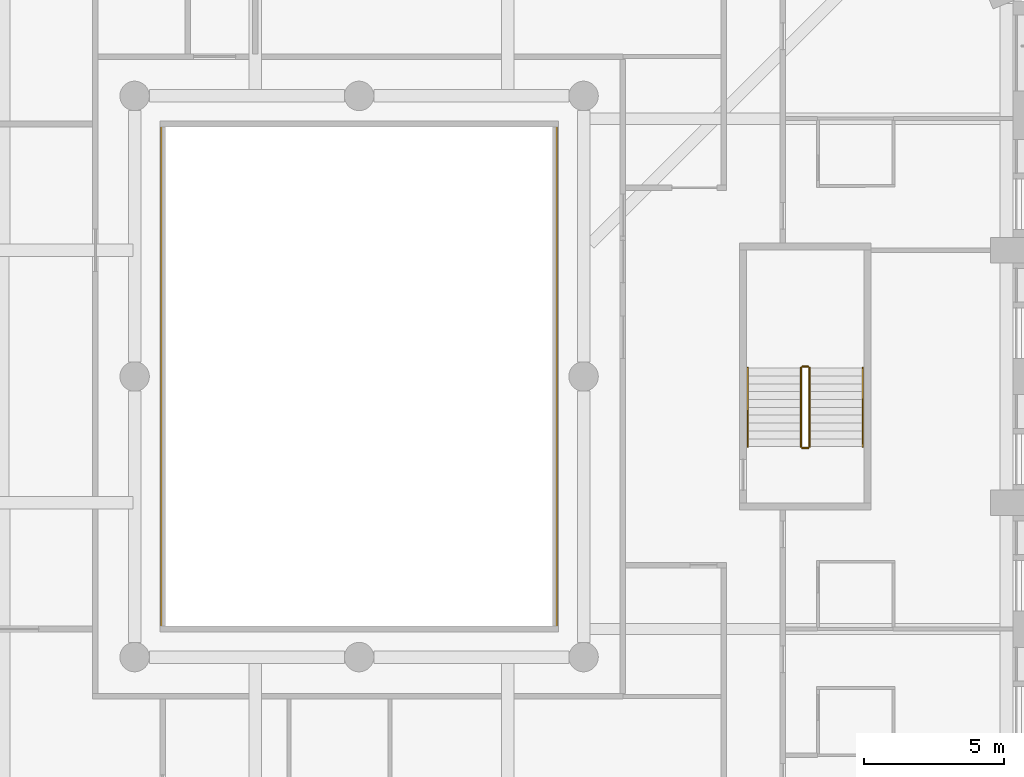
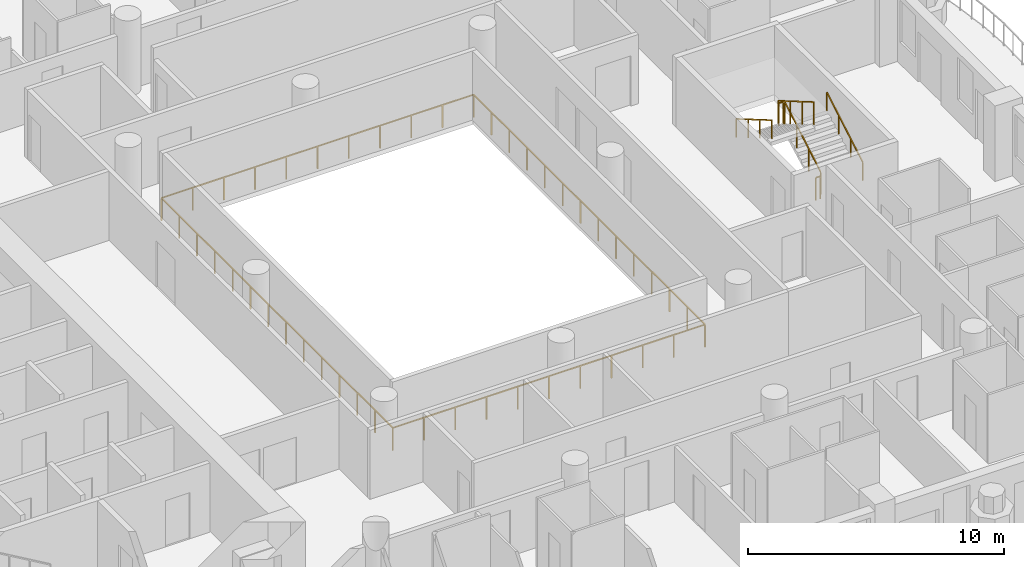
# One storey, part 15 of 20: 7 railings.
"""IFC4 building model written with IfcOpenShell, lengths in metres."""

from ifc_helpers import new_model, si_unit, direction, frame, origin, origin_2d, place, context, subcontext, project, spatial, rectangle, extrude, material, type_object, element, save


model = new_model("IFC4")

# Units and contexts
model_context = context("Model", 3, precision=1e-05, world=origin(), true_north=direction((0.0, 1.0)))
body_context = subcontext(model_context, "Body", "Model", "MODEL_VIEW")
ifc_project = project(units=[si_unit("LENGTHUNIT", "METRE"), si_unit("AREAUNIT", "SQUARE_METRE"), si_unit("VOLUMEUNIT", "CUBIC_METRE"), si_unit("PLANEANGLEUNIT", "RADIAN"), si_unit("MASSUNIT", "GRAM", prefix="KILO")], contexts=[model_context])

# Site, building, storey
site_placement = place(None, origin())
site = spatial("IfcSite", under=ifc_project, at=site_placement, CompositionType="ELEMENT")
building_placement = place(site_placement, origin())
building = spatial("IfcBuilding", under=site, at=building_placement, Name="Cypress Arch Tower", CompositionType="ELEMENT")
storey_placement = place(building_placement, frame((0.0, 0.0, 116.699951171875)))
storey = spatial("IfcBuildingStorey", under=building, at=storey_placement, Name="L24", CompositionType="ELEMENT", Elevation=116.699951171875)

# Railings
ifc_material_1 = material(Name="Stainless steel posts and handrail, laminated glass infill", Category="steel")
railing_type_1 = type_object("IfcRailingType", Name="Atrium guard GR1100A", PredefinedType="GUARDRAIL", material=ifc_material_1)
railing_1_placement = place(storey_placement, frame((8.050048828125, -9.050048828125, 0.0)))
element("IfcRailing", 1, at=railing_1_placement, inside=storey, type_object=railing_type_1, Name="Atrium guard L24", PredefinedType="GUARDRAIL", context=body_context, shape_type="SweptSolid", body=[
    extrude(rectangle(XDim=0.050048828125, YDim=0.050048828125, at=origin_2d()), frame((0.0, 0.0, 1.0751953125), z_axis=(-1.0, 0.0, 0.0), x_axis=(0.0, -1.0, 0.0)), (0.0, 0.0, 1.0), 14.10009765625),
    extrude(rectangle(XDim=0.050048828125, YDim=0.050048828125, at=origin_2d()), frame((-14.10009765625, 0.0, 1.0751953125), z_axis=(0.0, 1.0, 0.0), x_axis=(-1.0, 0.0, 0.0)), (0.0, 0.0, 1.0), 18.10009765625),
    extrude(rectangle(XDim=0.050048828125, YDim=0.050048828125, at=origin_2d()), frame((-14.10009765625, 18.10009765625, 1.0751953125), z_axis=(1.0, 0.0, 0.0), x_axis=(0.0, 1.0, 0.0)), (0.0, 0.0, 1.0), 14.10009765625),
    extrude(rectangle(XDim=0.050048828125, YDim=0.050048828125, at=origin_2d()), frame((0.0, 18.10009765625, 1.0751953125), z_axis=(0.0, -1.0, 0.0), x_axis=(1.0, 0.0, 0.0)), (0.0, 0.0, 1.0), 18.10009765625),
    extrude(rectangle(XDim=0.050048828125, YDim=0.050048828125, at=origin_2d()), origin(), (0.0, 0.0, 1.0), 1.050048828125),
    extrude(rectangle(XDim=0.050048828125, YDim=0.050048828125, at=origin_2d()), frame((-1.409912109375, 0.0, 0.0)), (0.0, 0.0, 1.0), 1.050048828125),
    extrude(rectangle(XDim=0.050048828125, YDim=0.050048828125, at=origin_2d()), frame((-2.820068359375, 0.0, 0.0)), (0.0, 0.0, 1.0), 1.050048828125),
    extrude(rectangle(XDim=0.050048828125, YDim=0.050048828125, at=origin_2d()), frame((-4.22998046875, 0.0, 0.0)), (0.0, 0.0, 1.0), 1.050048828125),
    extrude(rectangle(XDim=0.050048828125, YDim=0.050048828125, at=origin_2d()), frame((-5.64013671875, 0.0, 0.0)), (0.0, 0.0, 1.0), 1.050048828125),
    extrude(rectangle(XDim=0.050048828125, YDim=0.050048828125, at=origin_2d()), frame((-7.050048828125, 0.0, 0.0)), (0.0, 0.0, 1.0), 1.050048828125),
    extrude(rectangle(XDim=0.050048828125, YDim=0.050048828125, at=origin_2d()), frame((-8.4599609375, 0.0, 0.0)), (0.0, 0.0, 1.0), 1.050048828125),
    extrude(rectangle(XDim=0.050048828125, YDim=0.050048828125, at=origin_2d()), frame((-9.8701171875, 0.0, 0.0)), (0.0, 0.0, 1.0), 1.050048828125),
    extrude(rectangle(XDim=0.050048828125, YDim=0.050048828125, at=origin_2d()), frame((-11.280029296875, 0.0, 0.0)), (0.0, 0.0, 1.0), 1.050048828125),
    extrude(rectangle(XDim=0.050048828125, YDim=0.050048828125, at=origin_2d()), frame((-12.690185546875, 0.0, 0.0)), (0.0, 0.0, 1.0), 1.050048828125),
    extrude(rectangle(XDim=0.050048828125, YDim=0.050048828125, at=origin_2d()), frame((-14.10009765625, 0.0, 0.0)), (0.0, 0.0, 1.0), 1.050048828125),
    extrude(rectangle(XDim=0.050048828125, YDim=0.050048828125, at=origin_2d()), frame((-14.10009765625, 1.392333984375, 0.0)), (0.0, 0.0, 1.0), 1.050048828125),
    extrude(rectangle(XDim=0.050048828125, YDim=0.050048828125, at=origin_2d()), frame((-14.10009765625, 2.78466796875, 0.0)), (0.0, 0.0, 1.0), 1.050048828125),
    extrude(rectangle(XDim=0.050048828125, YDim=0.050048828125, at=origin_2d()), frame((-14.10009765625, 4.177001953125, 0.0)), (0.0, 0.0, 1.0), 1.050048828125),
    extrude(rectangle(XDim=0.050048828125, YDim=0.050048828125, at=origin_2d()), frame((-14.10009765625, 5.5693359375, 0.0)), (0.0, 0.0, 1.0), 1.050048828125),
    extrude(rectangle(XDim=0.050048828125, YDim=0.050048828125, at=origin_2d()), frame((-14.10009765625, 6.961669921875, 0.0)), (0.0, 0.0, 1.0), 1.050048828125),
    extrude(rectangle(XDim=0.050048828125, YDim=0.050048828125, at=origin_2d()), frame((-14.10009765625, 8.35400390625, 0.0)), (0.0, 0.0, 1.0), 1.050048828125),
    extrude(rectangle(XDim=0.050048828125, YDim=0.050048828125, at=origin_2d()), frame((-14.10009765625, 9.74609375, 0.0)), (0.0, 0.0, 1.0), 1.050048828125),
    extrude(rectangle(XDim=0.050048828125, YDim=0.050048828125, at=origin_2d()), frame((-14.10009765625, 11.138427734375, 0.0)), (0.0, 0.0, 1.0), 1.050048828125),
    extrude(rectangle(XDim=0.050048828125, YDim=0.050048828125, at=origin_2d()), frame((-14.10009765625, 12.53076171875, 0.0)), (0.0, 0.0, 1.0), 1.050048828125),
    extrude(rectangle(XDim=0.050048828125, YDim=0.050048828125, at=origin_2d()), frame((-14.10009765625, 13.923095703125, 0.0)), (0.0, 0.0, 1.0), 1.050048828125),
    extrude(rectangle(XDim=0.050048828125, YDim=0.050048828125, at=origin_2d()), frame((-14.10009765625, 15.3154296875, 0.0)), (0.0, 0.0, 1.0), 1.050048828125),
    extrude(rectangle(XDim=0.050048828125, YDim=0.050048828125, at=origin_2d()), frame((-14.10009765625, 16.707763671875, 0.0)), (0.0, 0.0, 1.0), 1.050048828125),
    extrude(rectangle(XDim=0.050048828125, YDim=0.050048828125, at=origin_2d()), frame((-14.10009765625, 18.10009765625, 0.0)), (0.0, 0.0, 1.0), 1.050048828125),
    extrude(rectangle(XDim=0.050048828125, YDim=0.050048828125, at=origin_2d()), frame((-12.690185546875, 18.10009765625, 0.0)), (0.0, 0.0, 1.0), 1.050048828125),
    extrude(rectangle(XDim=0.050048828125, YDim=0.050048828125, at=origin_2d()), frame((-11.280029296875, 18.10009765625, 0.0)), (0.0, 0.0, 1.0), 1.050048828125),
    extrude(rectangle(XDim=0.050048828125, YDim=0.050048828125, at=origin_2d()), frame((-9.8701171875, 18.10009765625, 0.0)), (0.0, 0.0, 1.0), 1.050048828125),
    extrude(rectangle(XDim=0.050048828125, YDim=0.050048828125, at=origin_2d()), frame((-8.4599609375, 18.10009765625, 0.0)), (0.0, 0.0, 1.0), 1.050048828125),
    extrude(rectangle(XDim=0.050048828125, YDim=0.050048828125, at=origin_2d()), frame((-7.050048828125, 18.10009765625, 0.0)), (0.0, 0.0, 1.0), 1.050048828125),
    extrude(rectangle(XDim=0.050048828125, YDim=0.050048828125, at=origin_2d()), frame((-5.64013671875, 18.10009765625, 0.0)), (0.0, 0.0, 1.0), 1.050048828125),
    extrude(rectangle(XDim=0.050048828125, YDim=0.050048828125, at=origin_2d()), frame((-4.22998046875, 18.10009765625, 0.0)), (0.0, 0.0, 1.0), 1.050048828125),
    extrude(rectangle(XDim=0.050048828125, YDim=0.050048828125, at=origin_2d()), frame((-2.820068359375, 18.10009765625, 0.0)), (0.0, 0.0, 1.0), 1.050048828125),
    extrude(rectangle(XDim=0.050048828125, YDim=0.050048828125, at=origin_2d()), frame((-1.409912109375, 18.10009765625, 0.0)), (0.0, 0.0, 1.0), 1.050048828125),
    extrude(rectangle(XDim=0.050048828125, YDim=0.050048828125, at=origin_2d()), frame((0.0, 18.10009765625, 0.0)), (0.0, 0.0, 1.0), 1.050048828125),
    extrude(rectangle(XDim=0.050048828125, YDim=0.050048828125, at=origin_2d()), frame((0.0, 16.707763671875, 0.0)), (0.0, 0.0, 1.0), 1.050048828125),
    extrude(rectangle(XDim=0.050048828125, YDim=0.050048828125, at=origin_2d()), frame((0.0, 15.3154296875, 0.0)), (0.0, 0.0, 1.0), 1.050048828125),
    extrude(rectangle(XDim=0.050048828125, YDim=0.050048828125, at=origin_2d()), frame((0.0, 13.923095703125, 0.0)), (0.0, 0.0, 1.0), 1.050048828125),
    extrude(rectangle(XDim=0.050048828125, YDim=0.050048828125, at=origin_2d()), frame((0.0, 12.53076171875, 0.0)), (0.0, 0.0, 1.0), 1.050048828125),
    extrude(rectangle(XDim=0.050048828125, YDim=0.050048828125, at=origin_2d()), frame((0.0, 11.138427734375, 0.0)), (0.0, 0.0, 1.0), 1.050048828125),
    extrude(rectangle(XDim=0.050048828125, YDim=0.050048828125, at=origin_2d()), frame((0.0, 9.74609375, 0.0)), (0.0, 0.0, 1.0), 1.050048828125),
    extrude(rectangle(XDim=0.050048828125, YDim=0.050048828125, at=origin_2d()), frame((0.0, 8.35400390625, 0.0)), (0.0, 0.0, 1.0), 1.050048828125),
    extrude(rectangle(XDim=0.050048828125, YDim=0.050048828125, at=origin_2d()), frame((0.0, 6.961669921875, 0.0)), (0.0, 0.0, 1.0), 1.050048828125),
    extrude(rectangle(XDim=0.050048828125, YDim=0.050048828125, at=origin_2d()), frame((0.0, 5.5693359375, 0.0)), (0.0, 0.0, 1.0), 1.050048828125),
    extrude(rectangle(XDim=0.050048828125, YDim=0.050048828125, at=origin_2d()), frame((0.0, 4.177001953125, 0.0)), (0.0, 0.0, 1.0), 1.050048828125),
    extrude(rectangle(XDim=0.050048828125, YDim=0.050048828125, at=origin_2d()), frame((0.0, 2.78466796875, 0.0)), (0.0, 0.0, 1.0), 1.050048828125),
    extrude(rectangle(XDim=0.050048828125, YDim=0.050048828125, at=origin_2d()), frame((0.0, 1.392333984375, 0.0)), (0.0, 0.0, 1.0), 1.050048828125),
])
ifc_material_2 = material(Name="Black powder-coated steel square bar 48 mm", Category="steel")
railing_type_2 = type_object("IfcRailingType", Name="Stair handrail HR1", PredefinedType="HANDRAIL", material=ifc_material_2)
railing_2_placement = place(storey_placement, frame((18.949951171875, -2.5, 0.16357421875)))
element("IfcRailing", 2, at=railing_2_placement, inside=storey, type_object=railing_type_2, Name="L24 C stair handrail 1", PredefinedType="HANDRAIL", context=body_context, shape_type="SweptSolid", body=[
    extrude(rectangle(XDim=0.048095703125, YDim=0.048095703125, at=origin_2d()), frame((0.0, 0.0, 0.8759765625), z_axis=(0.0, 0.863360870873, 0.504586966384), x_axis=(-1.0, 0.0, 0.0)), (0.0, 0.0, 1.0), 3.2431640625),
    extrude(rectangle(XDim=0.0419921875, YDim=0.0419921875, at=origin_2d()), origin(), (0.0, 0.0, 1.0), 0.851806640625),
    extrude(rectangle(XDim=0.0419921875, YDim=0.0419921875, at=origin_2d()), frame((0.0, 0.933349609375, 0.54541015625)), (0.0, 0.0, 1.0), 0.851806640625),
    extrude(rectangle(XDim=0.0419921875, YDim=0.0419921875, at=origin_2d()), frame((0.0, 1.86669921875, 1.091064453125)), (0.0, 0.0, 1.0), 0.851806640625),
    extrude(rectangle(XDim=0.0419921875, YDim=0.0419921875, at=origin_2d()), frame((0.0, 2.800048828125, 1.636474609375)), (0.0, 0.0, 1.0), 0.851806640625),
])
railing_3_placement = place(storey_placement, frame((14.85009765625, 0.300048828125, 1.963623046875)))
element("IfcRailing", 3, at=railing_3_placement, inside=storey, type_object=railing_type_2, Name="L24 C stair handrail 2", PredefinedType="HANDRAIL", context=body_context, shape_type="SweptSolid", body=[
    extrude(rectangle(XDim=0.048095703125, YDim=0.048095703125, at=origin_2d()), frame((0.0, 0.0, 0.8759765625), z_axis=(0.0, -0.863360870873, 0.504586966384), x_axis=(1.0, 0.0, 0.0)), (0.0, 0.0, 1.0), 3.2431640625),
    extrude(rectangle(XDim=0.0419921875, YDim=0.0419921875, at=origin_2d()), origin(), (0.0, 0.0, 1.0), 0.851806640625),
    extrude(rectangle(XDim=0.0419921875, YDim=0.0419921875, at=origin_2d()), frame((0.0, -0.933349609375, 0.54541015625)), (0.0, 0.0, 1.0), 0.851806640625),
    extrude(rectangle(XDim=0.0419921875, YDim=0.0419921875, at=origin_2d()), frame((0.0, -1.86669921875, 1.091064453125)), (0.0, 0.0, 1.0), 0.851806640625),
    extrude(rectangle(XDim=0.0419921875, YDim=0.0419921875, at=origin_2d()), frame((0.0, -2.800048828125, 1.636474609375)), (0.0, 0.0, 1.0), 0.851806640625),
])
ifc_material_3 = material(Name="Black powder-coated steel balusters", Category="steel")
railing_type_3 = type_object("IfcRailingType", Name="Stair well guard G1", PredefinedType="GUARDRAIL", material=ifc_material_3)
railing_4_placement = place(storey_placement, frame((17.050048828125, -2.5, 0.16357421875)))
element("IfcRailing", 4, at=railing_4_placement, inside=storey, type_object=railing_type_3, Name="L24 C stair guard 1", PredefinedType="GUARDRAIL", context=body_context, shape_type="SweptSolid", body=[
    extrude(rectangle(XDim=0.048095703125, YDim=0.048095703125, at=origin_2d()), frame((0.0, 0.0, 1.076171875), z_axis=(0.0, 0.863360870873, 0.504586966384), x_axis=(-1.0, 0.0, 0.0)), (0.0, 0.0, 1.0), 3.2431640625),
    extrude(rectangle(XDim=0.0419921875, YDim=0.0419921875, at=origin_2d()), origin(), (0.0, 0.0, 1.0), 1.052001953125),
    extrude(rectangle(XDim=0.0419921875, YDim=0.0419921875, at=origin_2d()), frame((0.0, 0.933349609375, 0.54541015625)), (0.0, 0.0, 1.0), 1.052001953125),
    extrude(rectangle(XDim=0.0419921875, YDim=0.0419921875, at=origin_2d()), frame((0.0, 1.86669921875, 1.091064453125)), (0.0, 0.0, 1.0), 1.052001953125),
    extrude(rectangle(XDim=0.0419921875, YDim=0.0419921875, at=origin_2d()), frame((0.0, 2.800048828125, 1.636474609375)), (0.0, 0.0, 1.0), 1.052001953125),
])
railing_5_placement = place(storey_placement, frame((17.0, 0.35009765625, 1.800048828125)))
element("IfcRailing", 5, at=railing_5_placement, inside=storey, type_object=railing_type_3, Name="L24 C stair guard 2", PredefinedType="GUARDRAIL", context=body_context, shape_type="SweptSolid", body=[
    extrude(rectangle(XDim=0.048095703125, YDim=0.048095703125, at=origin_2d()), frame((0.0, 0.0, 1.076171875), z_axis=(-1.0, 0.0, 0.0), x_axis=(0.0, -1.0, 0.0)), (0.0, 0.0, 1.0), 0.199951171875),
    extrude(rectangle(XDim=0.0419921875, YDim=0.0419921875, at=origin_2d()), origin(), (0.0, 0.0, 1.0), 1.052001953125),
    extrude(rectangle(XDim=0.0419921875, YDim=0.0419921875, at=origin_2d()), frame((-0.199951171875, 0.0, 0.0)), (0.0, 0.0, 1.0), 1.052001953125),
])
railing_6_placement = place(storey_placement, frame((16.75, 0.300048828125, 1.963623046875)))
element("IfcRailing", 6, at=railing_6_placement, inside=storey, type_object=railing_type_3, Name="L24 C stair guard 3", PredefinedType="GUARDRAIL", context=body_context, shape_type="SweptSolid", body=[
    extrude(rectangle(XDim=0.048095703125, YDim=0.048095703125, at=origin_2d()), frame((0.0, 0.0, 1.076171875), z_axis=(0.0, -0.863360870873, 0.504586966384), x_axis=(1.0, 0.0, 0.0)), (0.0, 0.0, 1.0), 3.2431640625),
    extrude(rectangle(XDim=0.0419921875, YDim=0.0419921875, at=origin_2d()), origin(), (0.0, 0.0, 1.0), 1.052001953125),
    extrude(rectangle(XDim=0.0419921875, YDim=0.0419921875, at=origin_2d()), frame((0.0, -0.933349609375, 0.54541015625)), (0.0, 0.0, 1.0), 1.052001953125),
    extrude(rectangle(XDim=0.0419921875, YDim=0.0419921875, at=origin_2d()), frame((0.0, -1.86669921875, 1.091064453125)), (0.0, 0.0, 1.0), 1.052001953125),
    extrude(rectangle(XDim=0.0419921875, YDim=0.0419921875, at=origin_2d()), frame((0.0, -2.800048828125, 1.636474609375)), (0.0, 0.0, 1.0), 1.052001953125),
])
railing_7_placement = place(storey_placement, frame((17.0, -2.550048828125, 0.0)))
element("IfcRailing", 7, at=railing_7_placement, inside=storey, type_object=railing_type_3, Name="L24 C stair guard 4", PredefinedType="GUARDRAIL", context=body_context, shape_type="SweptSolid", body=[
    extrude(rectangle(XDim=0.048095703125, YDim=0.048095703125, at=origin_2d()), frame((0.0, 0.0, 1.076171875), z_axis=(-1.0, 0.0, 0.0), x_axis=(0.0, -1.0, 0.0)), (0.0, 0.0, 1.0), 0.199951171875),
    extrude(rectangle(XDim=0.0419921875, YDim=0.0419921875, at=origin_2d()), origin(), (0.0, 0.0, 1.0), 1.052001953125),
    extrude(rectangle(XDim=0.0419921875, YDim=0.0419921875, at=origin_2d()), frame((-0.199951171875, 0.0, 0.0)), (0.0, 0.0, 1.0), 1.052001953125),
])

save(model, "model.ifc")
